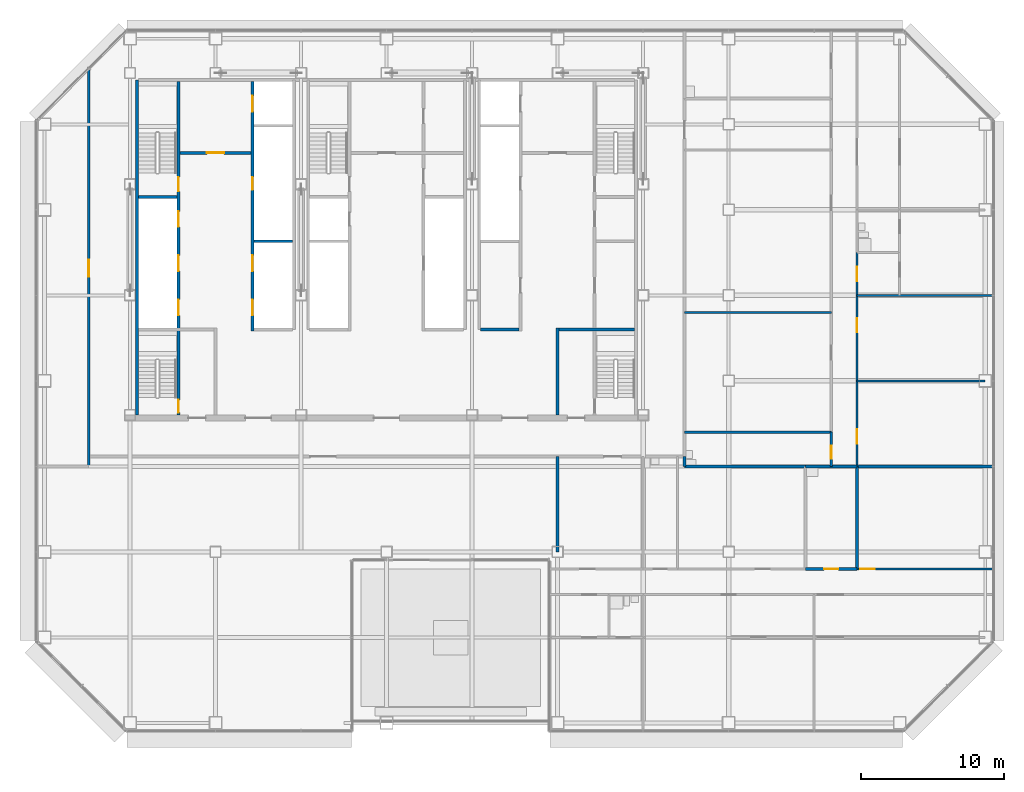
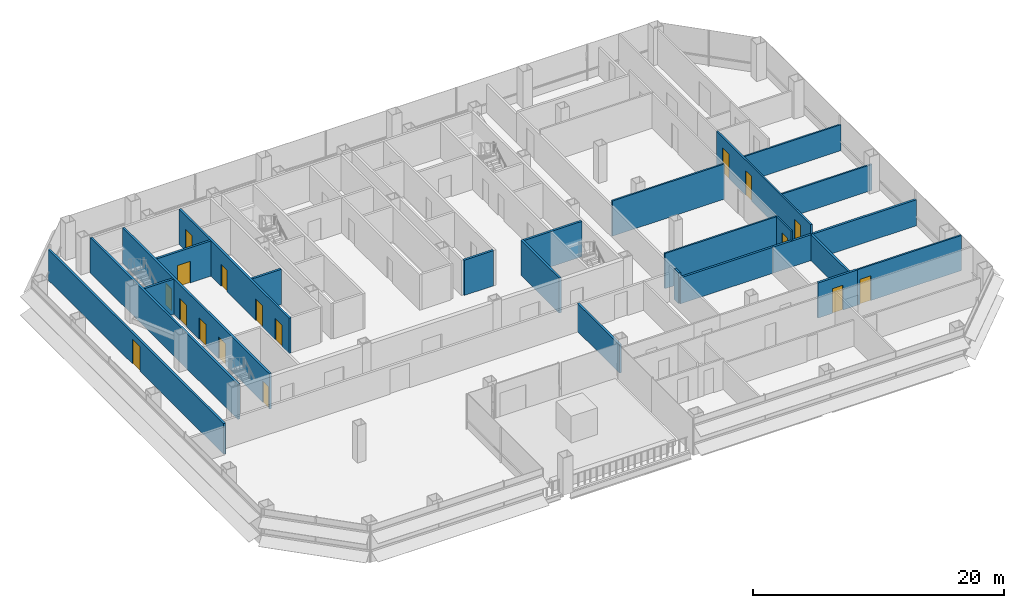
# One storey, part 21 of 27: 24 walls, 17 doors, 17 openings.
"""IFC4 building model written with IfcOpenShell, lengths in metres."""

from ifc_helpers import new_model, si_unit, direction, frame, frame_2d, origin, place, context, subcontext, project, spatial, rectangle, extrude, material, layer, layer_set, type_object, element, fill, save


model = new_model("IFC4")

# Units and contexts
model_context = context("Model", 3, precision=1e-05, world=origin(), true_north=direction((0.0, 1.0)))
body_context = subcontext(model_context, "Body", "Model", "MODEL_VIEW")
ifc_project = project(units=[si_unit("LENGTHUNIT", "METRE"), si_unit("AREAUNIT", "SQUARE_METRE"), si_unit("VOLUMEUNIT", "CUBIC_METRE"), si_unit("PLANEANGLEUNIT", "RADIAN"), si_unit("MASSUNIT", "GRAM", prefix="KILO")], contexts=[model_context])

# Site, building, storey
site_placement = place(None, origin())
site = spatial("IfcSite", under=ifc_project, at=site_placement, CompositionType="ELEMENT")
building_placement = place(site_placement, origin())
building = spatial("IfcBuilding", under=site, at=building_placement, Name="Sorahane Residences", CompositionType="ELEMENT")
storey_placement = place(building_placement, frame((0.0, 0.0, 82.199951171875)))
storey = spatial("IfcBuildingStorey", under=building, at=storey_placement, Name="L17", CompositionType="ELEMENT", Elevation=82.199951171875)

# Wall
ifc_material_1 = material(Name="Concrete C30", Category="concrete")
ifc_layer_1 = layer(ifc_material_1, 0.199951171875)
ifc_layer_set_1 = layer_set([ifc_layer_1], Name="Core face wall 200 EI 180")
wall_type_1 = type_object("IfcWallType", Name="Core face wall 200 EI 180", PredefinedType="SOLIDWALL", material=ifc_layer_set_1)
wall_1_placement = place(storey_placement, frame((6.5, 21.60009765625, 0.0), z_axis=(0.0, 0.0, 1.0), x_axis=(0.0, 1.0, 0.0)))
element("IfcWall", 1, at=wall_1_placement, inside=storey, type_object=wall_type_1, Name="L17 core face wall", PredefinedType="SOLIDWALL", context=body_context, shape_type="SweptSolid", body=[
    extrude(rectangle(XDim=23.5, YDim=0.199951171875, at=frame_2d((11.75, 0.0))), origin(), (0.0, 0.0, 1.0), 3.420166015625),
])

# Wall, opening, door
ifc_material_2 = material(Name="Concrete blockwork C20 wall", Category="masonry")
ifc_layer_2 = layer(ifc_material_2, 0.199951171875)
ifc_layer_set_2 = layer_set([ifc_layer_2], Name="Corridor wall 200 EI 120")
wall_type_2 = type_object("IfcWallType", Name="Corridor wall 200 EI 120", PredefinedType="SOLIDWALL", material=ifc_layer_set_2)
wall_2_placement = place(storey_placement, frame((3.10009765625, 18.001953125, 0.0), z_axis=(0.0, 0.0, 1.0), x_axis=(0.0, 1.0, 0.0)))
wall_2 = element("IfcWall", 2, at=wall_2_placement, inside=storey, type_object=wall_type_2, Name="L17 corridor wall", PredefinedType="SOLIDWALL", context=body_context, shape_type="SweptSolid", body=[
    extrude(rectangle(XDim=27.947021484375, YDim=0.199951171875, at=frame_2d((13.9736328125, 0.0))), origin(), (0.0, 0.0, 1.0), 2.969970703125),
])
opening_1_placement = place(wall_2_placement, frame((13.300048828125, 0.0, 0.0)))
opening_1 = element("IfcOpeningElement", 3, at=opening_1_placement, cuts=wall_2, Name="Opening L17-28", PredefinedType="OPENING", context=body_context, shape_type="SweptSolid", body=[
    extrude(rectangle(XDim=1.199951171875, YDim=2.39990234375, at=frame_2d((0.60009765625, 1.199951171875))), frame((0.0, 0.10986328125, 0.0), z_axis=(0.0, -1.0, 0.0), x_axis=(1.0, 0.0, 0.0)), (0.0, 0.0, 1.0), 0.219970703125),
])
ifc_material_3 = material(Name="Steel", Category="steel")
door_type_1 = type_object("IfcDoorType", Name="Lobby door 1200x2400 FD60", OperationType="NOTDEFINED", PredefinedType="DOOR", material=ifc_material_3)
door_1_placement = place(opening_1_placement, origin())
door_1 = element("IfcDoor", 4, at=door_1_placement, inside=storey, type_object=door_type_1, Name="Lobby door L17-28", OperationType="SINGLE_SWING_RIGHT", OverallHeight=2.39990234375, OverallWidth=1.199951171875, PredefinedType="DOOR", context=body_context, shape_type="SweptSolid", body=[
    extrude(rectangle(XDim=1.199951171875, YDim=2.39990234375, at=frame_2d((0.60009765625, 1.199951171875))), frame((0.0, 0.02490234375, 0.0), z_axis=(0.0, -1.0, 0.0), x_axis=(1.0, 0.0, 0.0)), (0.0, 0.0, 1.0), 0.050048828125),
])
fill(opening_1, door_1)

# Walls
wall_3_placement = place(storey_placement, frame((36.0, 12.0, 0.0), z_axis=(0.0, 0.0, 1.0), x_axis=(0.0, 1.0, 0.0)))
element("IfcWall", 5, at=wall_3_placement, inside=storey, type_object=wall_type_2, Name="L17 corridor wall", PredefinedType="SOLIDWALL", context=body_context, shape_type="SweptSolid", body=[
    extrude(rectangle(XDim=6.699951171875, YDim=0.199951171875, at=frame_2d((3.35009765625, 0.0))), origin(), (0.0, 0.0, 1.0), 2.719970703125),
])
ifc_material_4 = material(Name="Concrete C30", Category="concrete")
ifc_layer_3 = layer(ifc_material_4, 0.199951171875)
ifc_layer_set_3 = layer_set([ifc_layer_3], Name="Front room wall 200 EI 120")
wall_type_3 = type_object("IfcWallType", Name="Front room wall 200 EI 120", PredefinedType="PARTITIONING", material=ifc_layer_set_3)
wall_4_placement = place(storey_placement, frame((36.0, 21.60009765625, 0.0), z_axis=(0.0, 0.0, 1.0), x_axis=(0.0, 1.0, 0.0)))
element("IfcWall", 6, at=wall_4_placement, inside=storey, type_object=wall_type_3, Name="L17 front room wall", PredefinedType="PARTITIONING", context=body_context, shape_type="SweptSolid", body=[
    extrude(rectangle(XDim=6.099853515625, YDim=0.199951171875, at=frame_2d((3.0498046875, 0.0))), origin(), (0.0, 0.0, 1.0), 3.420166015625),
])

# Wall, opening, door
wall_5_placement = place(storey_placement, frame((9.5, 40.0, 0.0), z_axis=(0.0, 0.0, 1.0), x_axis=(1.0, 0.0, 0.0)))
wall_5 = element("IfcWall", 7, at=wall_5_placement, inside=storey, type_object=wall_type_3, Name="L17 front room wall", PredefinedType="PARTITIONING", context=body_context, shape_type="SweptSolid", body=[
    extrude(rectangle(XDim=5.0, YDim=0.199951171875, at=frame_2d((2.5, 0.0))), origin(), (0.0, 0.0, 1.0), 3.420166015625),
])
opening_2_placement = place(wall_5_placement, frame((1.89990234375, 0.0, 0.0)))
opening_2 = element("IfcOpeningElement", 8, at=opening_2_placement, cuts=wall_5, Name="Opening L17-C06", PredefinedType="OPENING", context=body_context, shape_type="SweptSolid", body=[
    extrude(rectangle(XDim=1.199951171875, YDim=2.10009765625, at=frame_2d((0.60009765625, 1.050048828125))), frame((0.0, 0.10986328125, 0.0), z_axis=(0.0, -1.0, 0.0), x_axis=(1.0, 0.0, 0.0)), (0.0, 0.0, 1.0), 0.219970703125),
])
ifc_material_5 = material(Name="Steel", Category="steel")
door_type_2 = type_object("IfcDoorType", Name="Front room door 1200x2100 FD120", OperationType="NOTDEFINED", PredefinedType="DOOR", material=ifc_material_5)
door_2_placement = place(opening_2_placement, frame((1.199951171875, 0.0, 0.0), z_axis=(0.0, 0.0, 1.0), x_axis=(-1.0, 0.0, 0.0)))
door_2 = element("IfcDoor", 9, at=door_2_placement, inside=storey, type_object=door_type_2, Name="Front room door Firefighting lobby FF1 front room L17", OperationType="DOUBLE_DOOR_SINGLE_SWING", OverallHeight=2.10009765625, OverallWidth=1.199951171875, PredefinedType="DOOR", context=body_context, shape_type="SweptSolid", body=[
    extrude(rectangle(XDim=1.199951171875, YDim=2.10009765625, at=frame_2d((0.60009765625, 1.050048828125))), frame((0.0, 0.02490234375, 0.0), z_axis=(0.0, -1.0, 0.0), x_axis=(1.0, 0.0, 0.0)), (0.0, 0.0, 1.0), 0.050048828125),
])
fill(opening_2, door_2)

# Wall
ifc_material_6 = material(Name="Concrete blockwork C20 wall", Category="masonry")
ifc_layer_4 = layer(ifc_material_6, 0.199951171875)
ifc_layer_set_4 = layer_set([ifc_layer_4], Name="Kitchen wall 200 EI 180")
wall_type_4 = type_object("IfcWallType", Name="Kitchen wall 200 EI 180", PredefinedType="SOLIDWALL", material=ifc_layer_set_4)
wall_6_placement = place(storey_placement, frame((57.0, 10.800048828125, 0.0), z_axis=(0.0, 0.0, 1.0), x_axis=(0.0, 1.0, 0.0)))
element("IfcWall", 10, at=wall_6_placement, inside=storey, type_object=wall_type_4, Name="L17 kitchen wall", PredefinedType="SOLIDWALL", context=body_context, shape_type="SweptSolid", body=[
    extrude(rectangle(XDim=7.199951171875, YDim=0.199951171875, at=frame_2d((3.60009765625, 0.0))), origin(), (0.0, 0.0, 1.0), 2.52001953125),
])

# Wall, opening, door
wall_7_placement = place(storey_placement, frame((53.39990234375, 10.800048828125, 0.0), z_axis=(0.0, 0.0, 1.0), x_axis=(1.0, 0.0, 0.0)))
wall_7 = element("IfcWall", 11, at=wall_7_placement, inside=storey, type_object=wall_type_4, Name="L17 kitchen wall", PredefinedType="SOLIDWALL", context=body_context, shape_type="SweptSolid", body=[
    extrude(rectangle(XDim=3.60009765625, YDim=0.199951171875, at=frame_2d((1.800048828125, 0.0))), origin(), (0.0, 0.0, 1.0), 3.420166015625),
])
opening_3_placement = place(wall_7_placement, frame((1.300048828125, 0.0, 0.0)))
opening_3 = element("IfcOpeningElement", 12, at=opening_3_placement, cuts=wall_7, Name="Opening L17-04", PredefinedType="OPENING", context=body_context, shape_type="SweptSolid", body=[
    extrude(rectangle(XDim=1.0, YDim=2.39990234375, at=frame_2d((0.5, 1.199951171875))), frame((0.0, 0.10986328125, 0.0), z_axis=(0.0, -1.0, 0.0), x_axis=(1.0, 0.0, 0.0)), (0.0, 0.0, 1.0), 0.219970703125),
])
ifc_material_7 = material(Name="Steel", Category="steel")
door_type_3 = type_object("IfcDoorType", Name="Kitchen door 1000x2400 FD120", OperationType="NOTDEFINED", PredefinedType="DOOR", material=ifc_material_7)
door_3_placement = place(opening_3_placement, origin())
door_3 = element("IfcDoor", 13, at=door_3_placement, inside=storey, type_object=door_type_3, Name="Kitchen door L17-04", OperationType="SINGLE_SWING_LEFT", OverallHeight=2.39990234375, OverallWidth=1.0, PredefinedType="DOOR", context=body_context, shape_type="SweptSolid", body=[
    extrude(rectangle(XDim=1.0, YDim=2.39990234375, at=frame_2d((0.5, 1.199951171875))), frame((0.0, 0.02490234375, 0.0), z_axis=(0.0, -1.0, 0.0), x_axis=(1.0, 0.0, 0.0)), (0.0, 0.0, 1.0), 0.050048828125),
])
fill(opening_3, door_3)

# Wall
wall_8_placement = place(storey_placement, frame((53.39990234375, 18.0, 0.0), z_axis=(0.0, 0.0, 1.0), x_axis=(1.0, 0.0, 0.0)))
element("IfcWall", 14, at=wall_8_placement, inside=storey, type_object=wall_type_4, Name="L17 kitchen wall", PredefinedType="SOLIDWALL", context=body_context, shape_type="SweptSolid", body=[
    extrude(rectangle(XDim=3.60009765625, YDim=0.199951171875, at=frame_2d((1.800048828125, 0.0))), origin(), (0.0, 0.0, 1.0), 2.52001953125),
])

# Wall, openings, doors
ifc_material_8 = material(Name="Concrete C30", Category="concrete")
ifc_layer_5 = layer(ifc_material_8, 0.199951171875)
ifc_layer_set_5 = layer_set([ifc_layer_5], Name="Lift shaft wall 200 EI 120")
wall_type_5 = type_object("IfcWallType", Name="Lift shaft wall 200 EI 120", PredefinedType="SOLIDWALL", material=ifc_layer_set_5)
wall_9_placement = place(storey_placement, frame((14.60009765625, 27.5, 0.0), z_axis=(0.0, 0.0, 1.0), x_axis=(0.0, 1.0, 0.0)))
wall_9 = element("IfcWall", 15, at=wall_9_placement, inside=storey, type_object=wall_type_5, Name="L17 lift shaft wall", PredefinedType="SOLIDWALL", context=body_context, shape_type="SweptSolid", body=[
    extrude(rectangle(XDim=17.5, YDim=0.199951171875, at=frame_2d((8.75, 0.0))), origin(), (0.0, 0.0, 1.0), 3.420166015625),
])
opening_4_placement = place(wall_9_placement, frame((1.10009765625, 0.0, 0.0)))
opening_4 = element("IfcOpeningElement", 16, at=opening_4_placement, cuts=wall_9, Name="Opening L17-C10", PredefinedType="OPENING", context=body_context, shape_type="SweptSolid", body=[
    extrude(rectangle(XDim=1.10009765625, YDim=2.10009765625, at=frame_2d((0.550048828125, 1.050048828125))), frame((0.0, 0.10986328125, 0.0), z_axis=(0.0, -1.0, 0.0), x_axis=(1.0, 0.0, 0.0)), (0.0, 0.0, 1.0), 0.219970703125),
])
opening_5_placement = place(wall_9_placement, frame((4.199951171875, 0.0, 0.0)))
opening_5 = element("IfcOpeningElement", 17, at=opening_5_placement, cuts=wall_9, Name="Opening L17-C11", PredefinedType="OPENING", context=body_context, shape_type="SweptSolid", body=[
    extrude(rectangle(XDim=1.10009765625, YDim=2.10009765625, at=frame_2d((0.550048828125, 1.050048828125))), frame((0.0, 0.10986328125, 0.0), z_axis=(0.0, -1.0, 0.0), x_axis=(1.0, 0.0, 0.0)), (0.0, 0.0, 1.0), 0.219970703125),
])
opening_6_placement = place(wall_9_placement, frame((15.39990234375, 0.0, 0.0)))
opening_6 = element("IfcOpeningElement", 18, at=opening_6_placement, cuts=wall_9, Name="Opening L17-C12", PredefinedType="OPENING", context=body_context, shape_type="SweptSolid", body=[
    extrude(rectangle(XDim=1.10009765625, YDim=2.10009765625, at=frame_2d((0.550048828125, 1.050048828125))), frame((0.0, 0.10986328125, 0.0), z_axis=(0.0, -1.0, 0.0), x_axis=(1.0, 0.0, 0.0)), (0.0, 0.0, 1.0), 0.219970703125),
])
opening_7_placement = place(wall_9_placement, frame((9.89990234375, 0.0, 0.0)))
opening_7 = element("IfcOpeningElement", 19, at=opening_7_placement, cuts=wall_9, Name="Opening L17-C24", PredefinedType="OPENING", context=body_context, shape_type="SweptSolid", body=[
    extrude(rectangle(XDim=0.89990234375, YDim=2.10009765625, at=frame_2d((0.449951171875, 1.050048828125))), frame((0.0, 0.10986328125, 0.0), z_axis=(0.0, -1.0, 0.0), x_axis=(1.0, 0.0, 0.0)), (0.0, 0.0, 1.0), 0.219970703125),
])
ifc_material_9 = material(Name="Aluminium and stainless steel", Category="steel")
door_type_4 = type_object("IfcDoorType", Name="Lift landing door 1100x2100 E 60", OperationType="NOTDEFINED", PredefinedType="DOOR", material=ifc_material_9)
door_4_placement = place(opening_4_placement, origin())
door_4 = element("IfcDoor", 20, at=door_4_placement, inside=storey, type_object=door_type_4, Name="Lift landing door LR4 L17", OperationType="DOUBLE_DOOR_SLIDING", OverallHeight=2.10009765625, OverallWidth=1.10009765625, PredefinedType="DOOR", context=body_context, shape_type="SweptSolid", body=[
    extrude(rectangle(XDim=1.10009765625, YDim=2.10009765625, at=frame_2d((0.550048828125, 1.050048828125))), frame((0.0, 0.02490234375, 0.0), z_axis=(0.0, -1.0, 0.0), x_axis=(1.0, 0.0, 0.0)), (0.0, 0.0, 1.0), 0.050048828125),
])
fill(opening_4, door_4)
door_5_placement = place(opening_5_placement, origin())
door_5 = element("IfcDoor", 21, at=door_5_placement, inside=storey, type_object=door_type_4, Name="Lift landing door LR5 L17", OperationType="DOUBLE_DOOR_SLIDING", OverallHeight=2.10009765625, OverallWidth=1.10009765625, PredefinedType="DOOR", context=body_context, shape_type="SweptSolid", body=[
    extrude(rectangle(XDim=1.10009765625, YDim=2.10009765625, at=frame_2d((0.550048828125, 1.050048828125))), frame((0.0, 0.02490234375, 0.0), z_axis=(0.0, -1.0, 0.0), x_axis=(1.0, 0.0, 0.0)), (0.0, 0.0, 1.0), 0.050048828125),
])
fill(opening_5, door_5)
door_6_placement = place(opening_6_placement, origin())
door_6 = element("IfcDoor", 22, at=door_6_placement, inside=storey, type_object=door_type_4, Name="Lift landing door FF1 L17", OperationType="DOUBLE_DOOR_SLIDING", OverallHeight=2.10009765625, OverallWidth=1.10009765625, PredefinedType="DOOR", context=body_context, shape_type="SweptSolid", body=[
    extrude(rectangle(XDim=1.10009765625, YDim=2.10009765625, at=frame_2d((0.550048828125, 1.050048828125))), frame((0.0, 0.02490234375, 0.0), z_axis=(0.0, -1.0, 0.0), x_axis=(1.0, 0.0, 0.0)), (0.0, 0.0, 1.0), 0.050048828125),
])
fill(opening_6, door_6)
ifc_material_10 = material(Name="Steel", Category="steel")
door_type_5 = type_object("IfcDoorType", Name="Riser door 900x2100 FD120", OperationType="NOTDEFINED", PredefinedType="DOOR", material=ifc_material_10)
door_7_placement = place(opening_7_placement, origin())
door_7 = element("IfcDoor", 23, at=door_7_placement, inside=storey, type_object=door_type_5, Name="Riser door R1 L17", OperationType="SINGLE_SWING_LEFT", OverallHeight=2.10009765625, OverallWidth=0.89990234375, PredefinedType="DOOR", context=body_context, shape_type="SweptSolid", body=[
    extrude(rectangle(XDim=0.89990234375, YDim=2.10009765625, at=frame_2d((0.449951171875, 1.050048828125))), frame((0.0, 0.02490234375, 0.0), z_axis=(0.0, -1.0, 0.0), x_axis=(1.0, 0.0, 0.0)), (0.0, 0.0, 1.0), 0.050048828125),
])
fill(opening_7, door_7)

# Wall
wall_10_placement = place(storey_placement, frame((14.699951171875, 33.800048828125, 0.0), z_axis=(0.0, 0.0, 1.0), x_axis=(1.0, 0.0, 0.0)))
element("IfcWall", 24, at=wall_10_placement, inside=storey, type_object=wall_type_5, Name="L17 lift shaft wall", PredefinedType="SOLIDWALL", context=body_context, shape_type="SweptSolid", body=[
    extrude(rectangle(XDim=2.699951171875, YDim=0.199951171875, at=frame_2d((1.35009765625, 0.0))), origin(), (0.0, 0.0, 1.0), 3.420166015625),
])

# Wall, openings, doors
ifc_material_11 = material(Name="Gypsum board partition on steel studs", Category="steel")
ifc_layer_6 = layer(ifc_material_11, 0.14990234375)
ifc_layer_set_6 = layer_set([ifc_layer_6], Name="Partition 150 EI 90")
wall_type_6 = type_object("IfcWallType", Name="Partition 150 EI 90", PredefinedType="PARTITIONING", material=ifc_layer_set_6)
wall_11_placement = place(storey_placement, frame((57.0, 18.0, 0.0), z_axis=(0.0, 0.0, 1.0), x_axis=(0.0, 1.0, 0.0)))
wall_11 = element("IfcWall", 25, at=wall_11_placement, inside=storey, type_object=wall_type_6, Name="L17 partition", PredefinedType="PARTITIONING", context=body_context, shape_type="SweptSolid", body=[
    extrude(rectangle(XDim=15.0, YDim=0.14990234375, at=frame_2d((7.5, 0.0))), origin(), (0.0, 0.0, 1.0), 3.420166015625),
])
opening_8_placement = place(wall_11_placement, frame((1.60009765625, 0.0, 0.0)))
opening_8 = element("IfcOpeningElement", 26, at=opening_8_placement, cuts=wall_11, Name="Opening L17-18", PredefinedType="OPENING", context=body_context, shape_type="SweptSolid", body=[
    extrude(rectangle(XDim=1.0, YDim=2.39990234375, at=frame_2d((0.5, 1.199951171875))), frame((0.0, 0.0849609375, 0.0), z_axis=(0.0, -1.0, 0.0), x_axis=(1.0, 0.0, 0.0)), (0.0, 0.0, 1.0), 0.169921875),
])
opening_9_placement = place(wall_11_placement, frame((9.39990234375, 0.0, 0.0)))
opening_9 = element("IfcOpeningElement", 27, at=opening_9_placement, cuts=wall_11, Name="Opening L17-19", PredefinedType="OPENING", context=body_context, shape_type="SweptSolid", body=[
    extrude(rectangle(XDim=1.0, YDim=2.39990234375, at=frame_2d((0.5, 1.199951171875))), frame((0.0, 0.0849609375, 0.0), z_axis=(0.0, -1.0, 0.0), x_axis=(1.0, 0.0, 0.0)), (0.0, 0.0, 1.0), 0.169921875),
])
opening_10_placement = place(wall_11_placement, frame((13.0, 0.0, 0.0)))
opening_10 = element("IfcOpeningElement", 28, at=opening_10_placement, cuts=wall_11, Name="Opening L17-20", PredefinedType="OPENING", context=body_context, shape_type="SweptSolid", body=[
    extrude(rectangle(XDim=1.0, YDim=2.39990234375, at=frame_2d((0.5, 1.199951171875))), frame((0.0, 0.0849609375, 0.0), z_axis=(0.0, -1.0, 0.0), x_axis=(1.0, 0.0, 0.0)), (0.0, 0.0, 1.0), 0.169921875),
])
ifc_material_12 = material(Name="Timber veneered fire door", Category="wood")
door_type_6 = type_object("IfcDoorType", Name="Room door 1000x2400 FD30", OperationType="NOTDEFINED", PredefinedType="DOOR", material=ifc_material_12)
door_8_placement = place(opening_8_placement, frame((1.0, 0.0, 0.0), z_axis=(0.0, 0.0, 1.0), x_axis=(-1.0, 0.0, 0.0)))
door_8 = element("IfcDoor", 29, at=door_8_placement, inside=storey, type_object=door_type_6, Name="Room door L17-18", OperationType="SINGLE_SWING_LEFT", OverallHeight=2.39990234375, OverallWidth=1.0, PredefinedType="DOOR", context=body_context, shape_type="SweptSolid", body=[
    extrude(rectangle(XDim=1.0, YDim=2.39990234375, at=frame_2d((0.5, 1.199951171875))), frame((0.0, 0.02490234375, 0.0), z_axis=(0.0, -1.0, 0.0), x_axis=(1.0, 0.0, 0.0)), (0.0, 0.0, 1.0), 0.050048828125),
])
fill(opening_8, door_8)
door_9_placement = place(opening_9_placement, frame((1.0, 0.0, 0.0), z_axis=(0.0, 0.0, 1.0), x_axis=(-1.0, 0.0, 0.0)))
door_9 = element("IfcDoor", 30, at=door_9_placement, inside=storey, type_object=door_type_6, Name="Room door L17-19", OperationType="SINGLE_SWING_LEFT", OverallHeight=2.39990234375, OverallWidth=1.0, PredefinedType="DOOR", context=body_context, shape_type="SweptSolid", body=[
    extrude(rectangle(XDim=1.0, YDim=2.39990234375, at=frame_2d((0.5, 1.199951171875))), frame((0.0, 0.02490234375, 0.0), z_axis=(0.0, -1.0, 0.0), x_axis=(1.0, 0.0, 0.0)), (0.0, 0.0, 1.0), 0.050048828125),
])
fill(opening_9, door_9)
door_10_placement = place(opening_10_placement, frame((1.0, 0.0, 0.0), z_axis=(0.0, 0.0, 1.0), x_axis=(-1.0, 0.0, 0.0)))
door_10 = element("IfcDoor", 31, at=door_10_placement, inside=storey, type_object=door_type_6, Name="Room door L17-20", OperationType="SINGLE_SWING_RIGHT", OverallHeight=2.39990234375, OverallWidth=1.0, PredefinedType="DOOR", context=body_context, shape_type="SweptSolid", body=[
    extrude(rectangle(XDim=1.0, YDim=2.39990234375, at=frame_2d((0.5, 1.199951171875))), frame((0.0, 0.02490234375, 0.0), z_axis=(0.0, -1.0, 0.0), x_axis=(1.0, 0.0, 0.0)), (0.0, 0.0, 1.0), 0.050048828125),
])
fill(opening_10, door_10)

# Wall, opening, door
wall_12_placement = place(storey_placement, frame((57.0, 10.800048828125, 0.0), z_axis=(0.0, 0.0, 1.0), x_axis=(1.0, 0.0, 0.0)))
wall_12 = element("IfcWall", 32, at=wall_12_placement, inside=storey, type_object=wall_type_6, Name="L17 partition", PredefinedType="PARTITIONING", context=body_context, shape_type="SweptSolid", body=[
    extrude(rectangle(XDim=9.60009765625, YDim=0.14990234375, at=frame_2d((4.800048828125, 0.0))), origin(), (0.0, 0.0, 1.0), 3.420166015625),
])
opening_11_placement = place(wall_12_placement, frame((0.25, 0.0, 0.0)))
opening_11 = element("IfcOpeningElement", 33, at=opening_11_placement, cuts=wall_12, Name="Opening L17-05", PredefinedType="OPENING", context=body_context, shape_type="SweptSolid", body=[
    extrude(rectangle(XDim=1.0, YDim=2.39990234375, at=frame_2d((0.5, 1.199951171875))), frame((0.0, 0.0849609375, 0.0), z_axis=(0.0, -1.0, 0.0), x_axis=(1.0, 0.0, 0.0)), (0.0, 0.0, 1.0), 0.169921875),
])
door_11_placement = place(opening_11_placement, origin())
door_11 = element("IfcDoor", 34, at=door_11_placement, inside=storey, type_object=door_type_6, Name="Room door L17-05", OperationType="SINGLE_SWING_RIGHT", OverallHeight=2.39990234375, OverallWidth=1.0, PredefinedType="DOOR", context=body_context, shape_type="SweptSolid", body=[
    extrude(rectangle(XDim=1.0, YDim=2.39990234375, at=frame_2d((0.5, 1.199951171875))), frame((0.0, 0.02490234375, 0.0), z_axis=(0.0, -1.0, 0.0), x_axis=(1.0, 0.0, 0.0)), (0.0, 0.0, 1.0), 0.050048828125),
])
fill(opening_11, door_11)

# Walls
wall_13_placement = place(storey_placement, frame((57.0, 24.0, 0.0), z_axis=(0.0, 0.0, 1.0), x_axis=(1.0, 0.0, 0.0)))
element("IfcWall", 35, at=wall_13_placement, inside=storey, type_object=wall_type_6, Name="L17 partition", PredefinedType="PARTITIONING", context=body_context, shape_type="SweptSolid", body=[
    extrude(rectangle(XDim=9.0, YDim=0.14990234375, at=frame_2d((4.5, 0.0))), origin(), (0.0, 0.0, 1.0), 2.52001953125),
])
wall_14_placement = place(storey_placement, frame((44.89990234375, 28.800048828125, 0.0), z_axis=(0.0, 0.0, 1.0), x_axis=(1.0, 0.0, 0.0)))
element("IfcWall", 36, at=wall_14_placement, inside=storey, type_object=wall_type_6, Name="L17 partition", PredefinedType="PARTITIONING", context=body_context, shape_type="SweptSolid", body=[
    extrude(rectangle(XDim=10.300048828125, YDim=0.14990234375, at=frame_2d((5.14990234375, 0.0))), origin(), (0.0, 0.0, 1.0), 3.420166015625),
])
wall_15_placement = place(storey_placement, frame((57.0, 30.0, 0.0), z_axis=(0.0, 0.0, 1.0), x_axis=(1.0, 0.0, 0.0)))
element("IfcWall", 37, at=wall_15_placement, inside=storey, type_object=wall_type_6, Name="L17 partition", PredefinedType="PARTITIONING", context=body_context, shape_type="SweptSolid", body=[
    extrude(rectangle(XDim=9.60009765625, YDim=0.14990234375, at=frame_2d((4.800048828125, 0.0))), origin(), (0.0, 0.0, 1.0), 2.52001953125),
])
ifc_material_13 = material(Name="Concrete blockwork C20 wall", Category="masonry")
ifc_layer_7 = layer(ifc_material_13, 0.199951171875)
ifc_layer_set_7 = layer_set([ifc_layer_7], Name="Party wall 200 EI 120")
wall_type_7 = type_object("IfcWallType", Name="Party wall 200 EI 120", PredefinedType="SOLIDWALL", material=ifc_layer_set_7)
wall_16_placement = place(storey_placement, frame((44.89990234375, 18.0, 0.0), z_axis=(0.0, 0.0, 1.0), x_axis=(0.0, 1.0, 0.0)))
element("IfcWall", 38, at=wall_16_placement, inside=storey, type_object=wall_type_7, Name="L17 party wall", PredefinedType="SOLIDWALL", context=body_context, shape_type="SweptSolid", body=[
    extrude(rectangle(XDim=0.699951171875, YDim=0.199951171875, at=frame_2d((0.35009765625, 0.0))), origin(), (0.0, 0.0, 1.0), 2.969970703125),
])
wall_17_placement = place(storey_placement, frame((44.89990234375, 18.0, 0.0), z_axis=(0.0, 0.0, 1.0), x_axis=(1.0, 0.0, 0.0)))
element("IfcWall", 39, at=wall_17_placement, inside=storey, type_object=wall_type_7, Name="L17 party wall", PredefinedType="SOLIDWALL", context=body_context, shape_type="SweptSolid", body=[
    extrude(rectangle(XDim=8.5, YDim=0.199951171875, at=frame_2d((4.25, 0.0))), origin(), (0.0, 0.0, 1.0), 2.52001953125),
])
wall_18_placement = place(storey_placement, frame((57.0, 18.0, 0.0), z_axis=(0.0, 0.0, 1.0), x_axis=(1.0, 0.0, 0.0)))
element("IfcWall", 40, at=wall_18_placement, inside=storey, type_object=wall_type_7, Name="L17 party wall", PredefinedType="SOLIDWALL", context=body_context, shape_type="SweptSolid", body=[
    extrude(rectangle(XDim=9.60009765625, YDim=0.199951171875, at=frame_2d((4.800048828125, 0.0))), origin(), (0.0, 0.0, 1.0), 2.52001953125),
])
ifc_material_14 = material(Name="Concrete C30", Category="concrete")
ifc_layer_8 = layer(ifc_material_14, 0.199951171875)
ifc_layer_set_8 = layer_set([ifc_layer_8], Name="Service room partition 200 EI 60")
wall_type_8 = type_object("IfcWallType", Name="Service room partition 200 EI 60", PredefinedType="PARTITIONING", material=ifc_layer_set_8)
wall_19_placement = place(storey_placement, frame((30.60009765625, 27.60009765625, 0.0), z_axis=(0.0, 0.0, 1.0), x_axis=(1.0, 0.0, 0.0)))
element("IfcWall", 41, at=wall_19_placement, inside=storey, type_object=wall_type_8, Name="L17 service room wall", PredefinedType="PARTITIONING", context=body_context, shape_type="SweptSolid", body=[
    extrude(rectangle(XDim=2.699951171875, YDim=0.199951171875, at=frame_2d((1.35009765625, 0.0))), origin(), (0.0, 0.0, 1.0), 3.420166015625),
])

# Wall, openings, doors
ifc_material_15 = material(Name="Concrete C30", Category="concrete")
ifc_layer_9 = layer(ifc_material_15, 0.199951171875)
ifc_layer_set_9 = layer_set([ifc_layer_9], Name="Stair enclosure wall 200 EI 120")
wall_type_9 = type_object("IfcWallType", Name="Stair enclosure wall 200 EI 120", PredefinedType="SOLIDWALL", material=ifc_layer_set_9)
wall_20_placement = place(storey_placement, frame((9.39990234375, 21.60009765625, 0.0), z_axis=(0.0, 0.0, 1.0), x_axis=(0.0, 1.0, 0.0)))
wall_20 = element("IfcWall", 42, at=wall_20_placement, inside=storey, type_object=wall_type_9, Name="L17 stair enclosure wall", PredefinedType="SOLIDWALL", context=body_context, shape_type="SweptSolid", body=[
    extrude(rectangle(XDim=23.39990234375, YDim=0.199951171875, at=frame_2d((11.699951171875, 0.0))), origin(), (0.0, 0.0, 1.0), 3.420166015625),
])
opening_12_placement = place(wall_20_placement, frame((7.0, 0.0, 0.0)))
opening_12 = element("IfcOpeningElement", 43, at=opening_12_placement, cuts=wall_20, Name="Opening L17-C13", PredefinedType="OPENING", context=body_context, shape_type="SweptSolid", body=[
    extrude(rectangle(XDim=1.10009765625, YDim=2.10009765625, at=frame_2d((0.550048828125, 1.050048828125))), frame((0.0, 0.10986328125, 0.0), z_axis=(0.0, -1.0, 0.0), x_axis=(1.0, 0.0, 0.0)), (0.0, 0.0, 1.0), 0.219970703125),
])
opening_13_placement = place(wall_20_placement, frame((10.10009765625, 0.0, 0.0)))
opening_13 = element("IfcOpeningElement", 44, at=opening_13_placement, cuts=wall_20, Name="Opening L17-C14", PredefinedType="OPENING", context=body_context, shape_type="SweptSolid", body=[
    extrude(rectangle(XDim=1.10009765625, YDim=2.10009765625, at=frame_2d((0.550048828125, 1.050048828125))), frame((0.0, 0.10986328125, 0.0), z_axis=(0.0, -1.0, 0.0), x_axis=(1.0, 0.0, 0.0)), (0.0, 0.0, 1.0), 0.219970703125),
])
opening_14_placement = place(wall_20_placement, frame((13.199951171875, 0.0, 0.0)))
opening_14 = element("IfcOpeningElement", 45, at=opening_14_placement, cuts=wall_20, Name="Opening L17-C15", PredefinedType="OPENING", context=body_context, shape_type="SweptSolid", body=[
    extrude(rectangle(XDim=1.10009765625, YDim=2.10009765625, at=frame_2d((0.550048828125, 1.050048828125))), frame((0.0, 0.10986328125, 0.0), z_axis=(0.0, -1.0, 0.0), x_axis=(1.0, 0.0, 0.0)), (0.0, 0.0, 1.0), 0.219970703125),
])
opening_15_placement = place(wall_20_placement, frame((15.699951171875, 0.0, 0.0)))
opening_15 = element("IfcOpeningElement", 46, at=opening_15_placement, cuts=wall_20, Name="Opening L17-C19", PredefinedType="OPENING", context=body_context, shape_type="SweptSolid", body=[
    extrude(rectangle(XDim=1.0, YDim=2.10009765625, at=frame_2d((0.5, 1.050048828125))), frame((0.0, 0.10986328125, 0.0), z_axis=(0.0, -1.0, 0.0), x_axis=(1.0, 0.0, 0.0)), (0.0, 0.0, 1.0), 0.219970703125),
])
opening_16_placement = place(wall_20_placement, frame((0.175048828125, 0.0, 0.0)))
opening_16 = element("IfcOpeningElement", 47, at=opening_16_placement, cuts=wall_20, Name="Opening L17-C22", PredefinedType="OPENING", context=body_context, shape_type="SweptSolid", body=[
    extrude(rectangle(XDim=0.89990234375, YDim=2.10009765625, at=frame_2d((0.449951171875, 1.050048828125))), frame((0.0, 0.10986328125, 0.0), z_axis=(0.0, -1.0, 0.0), x_axis=(1.0, 0.0, 0.0)), (0.0, 0.0, 1.0), 0.219970703125),
])
door_12_placement = place(opening_12_placement, origin())
door_12 = element("IfcDoor", 48, at=door_12_placement, inside=storey, type_object=door_type_4, Name="Lift landing door LR1 L17", OperationType="DOUBLE_DOOR_SLIDING", OverallHeight=2.10009765625, OverallWidth=1.10009765625, PredefinedType="DOOR", context=body_context, shape_type="SweptSolid", body=[
    extrude(rectangle(XDim=1.10009765625, YDim=2.10009765625, at=frame_2d((0.550048828125, 1.050048828125))), frame((0.0, 0.02490234375, 0.0), z_axis=(0.0, -1.0, 0.0), x_axis=(1.0, 0.0, 0.0)), (0.0, 0.0, 1.0), 0.050048828125),
])
fill(opening_12, door_12)
door_13_placement = place(opening_13_placement, origin())
door_13 = element("IfcDoor", 49, at=door_13_placement, inside=storey, type_object=door_type_4, Name="Lift landing door LR2 L17", OperationType="DOUBLE_DOOR_SLIDING", OverallHeight=2.10009765625, OverallWidth=1.10009765625, PredefinedType="DOOR", context=body_context, shape_type="SweptSolid", body=[
    extrude(rectangle(XDim=1.10009765625, YDim=2.10009765625, at=frame_2d((0.550048828125, 1.050048828125))), frame((0.0, 0.02490234375, 0.0), z_axis=(0.0, -1.0, 0.0), x_axis=(1.0, 0.0, 0.0)), (0.0, 0.0, 1.0), 0.050048828125),
])
fill(opening_13, door_13)
door_14_placement = place(opening_14_placement, origin())
door_14 = element("IfcDoor", 50, at=door_14_placement, inside=storey, type_object=door_type_4, Name="Lift landing door LR3 L17", OperationType="DOUBLE_DOOR_SLIDING", OverallHeight=2.10009765625, OverallWidth=1.10009765625, PredefinedType="DOOR", context=body_context, shape_type="SweptSolid", body=[
    extrude(rectangle(XDim=1.10009765625, YDim=2.10009765625, at=frame_2d((0.550048828125, 1.050048828125))), frame((0.0, 0.02490234375, 0.0), z_axis=(0.0, -1.0, 0.0), x_axis=(1.0, 0.0, 0.0)), (0.0, 0.0, 1.0), 0.050048828125),
])
fill(opening_14, door_14)
ifc_material_16 = material(Name="Steel", Category="steel")
door_type_7 = type_object("IfcDoorType", Name="Stair door 1000x2100 FD120", OperationType="NOTDEFINED", PredefinedType="DOOR", material=ifc_material_16)
door_15_placement = place(opening_15_placement, origin())
door_15 = element("IfcDoor", 51, at=door_15_placement, inside=storey, type_object=door_type_7, Name="Stair door S1 L17", OperationType="SINGLE_SWING_LEFT", OverallHeight=2.10009765625, OverallWidth=1.0, PredefinedType="DOOR", context=body_context, shape_type="SweptSolid", body=[
    extrude(rectangle(XDim=1.0, YDim=2.10009765625, at=frame_2d((0.5, 1.050048828125))), frame((0.0, 0.02490234375, 0.0), z_axis=(0.0, -1.0, 0.0), x_axis=(1.0, 0.0, 0.0)), (0.0, 0.0, 1.0), 0.050048828125),
])
fill(opening_15, door_15)
ifc_material_17 = material(Name="Steel", Category="steel")
door_type_8 = type_object("IfcDoorType", Name="Stair door 900x2100 FD120", OperationType="NOTDEFINED", PredefinedType="DOOR", material=ifc_material_17)
door_16_placement = place(opening_16_placement, origin())
door_16 = element("IfcDoor", 52, at=door_16_placement, inside=storey, type_object=door_type_8, Name="Stair door S4 L17", OperationType="SINGLE_SWING_LEFT", OverallHeight=2.10009765625, OverallWidth=0.89990234375, PredefinedType="DOOR", context=body_context, shape_type="SweptSolid", body=[
    extrude(rectangle(XDim=0.89990234375, YDim=2.10009765625, at=frame_2d((0.449951171875, 1.050048828125))), frame((0.0, 0.02490234375, 0.0), z_axis=(0.0, -1.0, 0.0), x_axis=(1.0, 0.0, 0.0)), (0.0, 0.0, 1.0), 0.050048828125),
])
fill(opening_16, door_16)

# Walls
wall_21_placement = place(storey_placement, frame((36.10009765625, 27.60009765625, 0.0), z_axis=(0.0, 0.0, 1.0), x_axis=(1.0, 0.0, 0.0)))
element("IfcWall", 53, at=wall_21_placement, inside=storey, type_object=wall_type_9, Name="L17 stair enclosure wall", PredefinedType="SOLIDWALL", context=body_context, shape_type="SweptSolid", body=[
    extrude(rectangle(XDim=5.2998046875, YDim=0.199951171875, at=frame_2d((2.64990234375, 0.0))), origin(), (0.0, 0.0, 1.0), 3.420166015625),
])
wall_22_placement = place(storey_placement, frame((6.60009765625, 36.89990234375, 0.0), z_axis=(0.0, 0.0, 1.0), x_axis=(1.0, 0.0, 0.0)))
element("IfcWall", 54, at=wall_22_placement, inside=storey, type_object=wall_type_9, Name="L17 stair enclosure wall", PredefinedType="SOLIDWALL", context=body_context, shape_type="SweptSolid", body=[
    extrude(rectangle(XDim=2.699951171875, YDim=0.199951171875, at=frame_2d((1.35009765625, 0.0))), origin(), (0.0, 0.0, 1.0), 3.420166015625),
])

# Wall, opening, door
ifc_material_18 = material(Name="Gypsum board partition on steel studs", Category="steel")
ifc_layer_10 = layer(ifc_material_18, 0.14990234375)
ifc_layer_set_10 = layer_set([ifc_layer_10], Name="Wet wall 150 EI 90")
wall_type_10 = type_object("IfcWallType", Name="Wet wall 150 EI 90", PredefinedType="PARTITIONING", material=ifc_layer_set_10)
wall_23_placement = place(storey_placement, frame((55.199951171875, 18.0, 0.0), z_axis=(0.0, 0.0, 1.0), x_axis=(0.0, 1.0, 0.0)))
wall_23 = element("IfcWall", 55, at=wall_23_placement, inside=storey, type_object=wall_type_10, Name="L17 wet wall", PredefinedType="PARTITIONING", context=body_context, shape_type="SweptSolid", body=[
    extrude(rectangle(XDim=2.39990234375, YDim=0.14990234375, at=frame_2d((1.199951171875, 0.0))), origin(), (0.0, 0.0, 1.0), 3.420166015625),
])
opening_17_placement = place(wall_23_placement, frame((0.550048828125, 0.0, 0.0)))
opening_17 = element("IfcOpeningElement", 56, at=opening_17_placement, cuts=wall_23, Name="Opening L17-14", PredefinedType="OPENING", context=body_context, shape_type="SweptSolid", body=[
    extrude(rectangle(XDim=0.89990234375, YDim=2.39990234375, at=frame_2d((0.449951171875, 1.199951171875))), frame((0.0, 0.0849609375, 0.0), z_axis=(0.0, -1.0, 0.0), x_axis=(1.0, 0.0, 0.0)), (0.0, 0.0, 1.0), 0.169921875),
])
ifc_material_19 = material(Name="Timber veneered fire door", Category="wood")
door_type_9 = type_object("IfcDoorType", Name="Bathroom door 900x2400 FD30", OperationType="NOTDEFINED", PredefinedType="DOOR", material=ifc_material_19)
door_17_placement = place(opening_17_placement, frame((0.89990234375, 0.0, 0.0), z_axis=(0.0, 0.0, 1.0), x_axis=(-1.0, 0.0, 0.0)))
door_17 = element("IfcDoor", 57, at=door_17_placement, inside=storey, type_object=door_type_9, Name="Bathroom door L17-14", OperationType="SINGLE_SWING_RIGHT", OverallHeight=2.39990234375, OverallWidth=0.89990234375, PredefinedType="DOOR", context=body_context, shape_type="SweptSolid", body=[
    extrude(rectangle(XDim=0.89990234375, YDim=2.39990234375, at=frame_2d((0.449951171875, 1.199951171875))), frame((0.0, 0.02490234375, 0.0), z_axis=(0.0, -1.0, 0.0), x_axis=(1.0, 0.0, 0.0)), (0.0, 0.0, 1.0), 0.050048828125),
])
fill(opening_17, door_17)

# Wall
wall_24_placement = place(storey_placement, frame((44.89990234375, 20.39990234375, 0.0), z_axis=(0.0, 0.0, 1.0), x_axis=(1.0, 0.0, 0.0)))
element("IfcWall", 58, at=wall_24_placement, inside=storey, type_object=wall_type_10, Name="L17 wet wall", PredefinedType="PARTITIONING", context=body_context, shape_type="SweptSolid", body=[
    extrude(rectangle(XDim=10.300048828125, YDim=0.14990234375, at=frame_2d((5.14990234375, 0.0))), origin(), (0.0, 0.0, 1.0), 3.420166015625),
])

save(model, "model.ifc")
